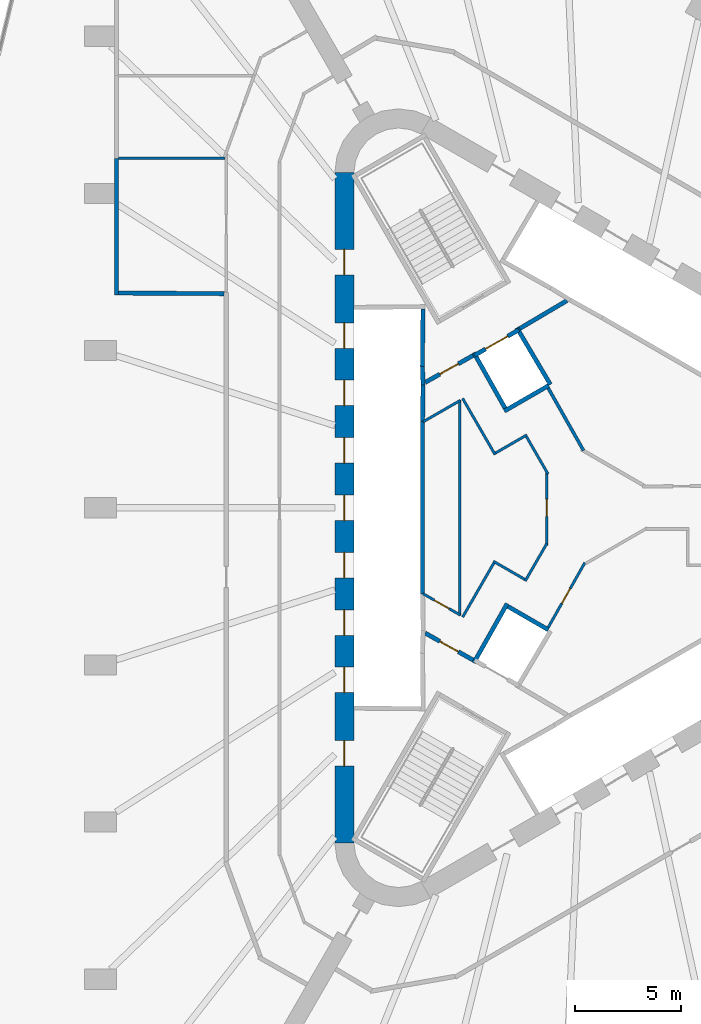
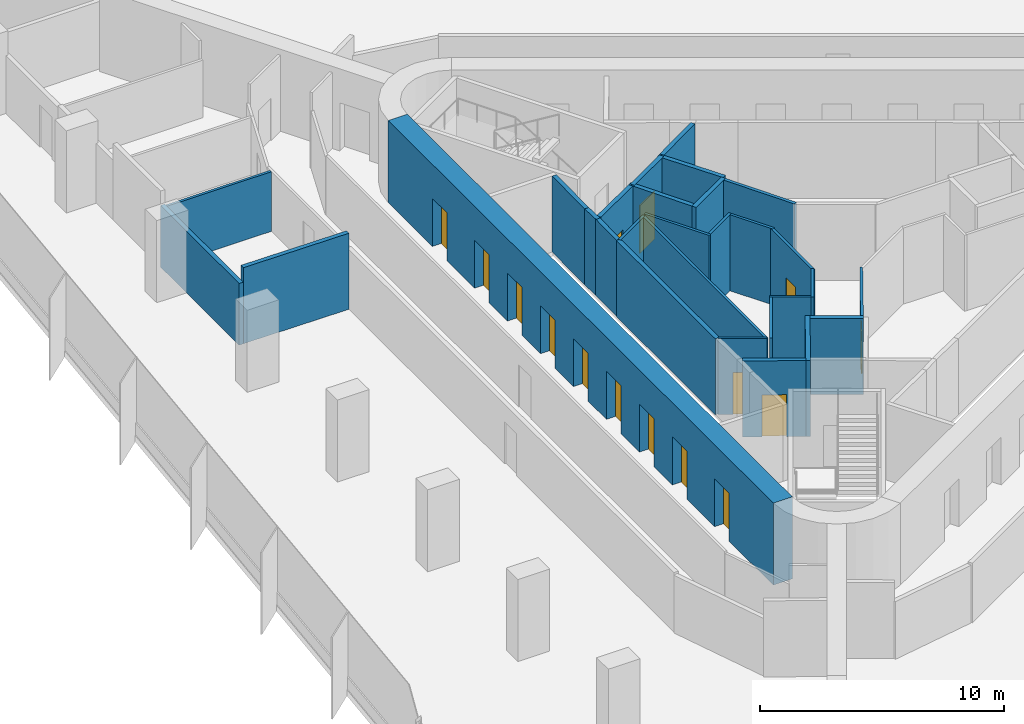
# One storey, part 10 of 14: 29 walls, 15 doors, 15 openings.
"""IFC4 building model written with IfcOpenShell, lengths in metres."""

from ifc_helpers import new_model, si_unit, direction, frame, frame_2d, origin, place, context, subcontext, project, spatial, rectangle, extrude, material, layer, layer_set, type_object, element, fill, save


model = new_model("IFC4")

# Units and contexts
model_context = context("Model", 3, precision=1e-05, world=origin(), true_north=direction((0.0, 1.0)))
body_context = subcontext(model_context, "Body", "Model", "MODEL_VIEW")
ifc_project = project(units=[si_unit("LENGTHUNIT", "METRE"), si_unit("AREAUNIT", "SQUARE_METRE"), si_unit("VOLUMEUNIT", "CUBIC_METRE"), si_unit("PLANEANGLEUNIT", "RADIAN"), si_unit("MASSUNIT", "GRAM", prefix="KILO")], contexts=[model_context])

# Site, building, storey
site_placement = place(None, origin())
site = spatial("IfcSite", under=ifc_project, at=site_placement, CompositionType="ELEMENT")
building_placement = place(site_placement, origin())
building = spatial("IfcBuilding", under=site, at=building_placement, Name="Tanit Gate Tower", CompositionType="ELEMENT")
storey_placement = place(building_placement, frame((0.0, 0.0, 86.5)))
storey = spatial("IfcBuildingStorey", under=building, at=storey_placement, Name="L17", CompositionType="ELEMENT", Elevation=86.5)

# Wall, openings, doors
ifc_material_1 = material(Name="Concrete C60/75", Category="concrete")
ifc_layer_1 = layer(ifc_material_1, 0.89990234375)
ifc_layer_set_1 = layer_set([ifc_layer_1], Name="CORE WALL 900 C60/75")
wall_type_1 = type_object("IfcWallType", Name="CORE WALL 900 C60/75", PredefinedType="SHEAR", material=ifc_layer_set_1)
wall_1_placement = place(storey_placement, frame((-11.64990234375, 15.76171875, 0.0), z_axis=(0.0, 0.0, 1.0), x_axis=(0.0, -1.0, 0.0)))
wall_1 = element("IfcWall", 1, at=wall_1_placement, inside=storey, type_object=wall_type_1, Name="CORE WALL", PredefinedType="SHEAR", context=body_context, shape_type="SweptSolid", body=[
    extrude(rectangle(XDim=31.5234375, YDim=0.89990234375, at=frame_2d((15.76171875, 0.0))), origin(), (0.0, 0.0, 1.0), 4.10009765625),
])
opening_1_placement = place(wall_1_placement, frame((7.061767578125, 0.0, 0.0)))
opening_1 = element("IfcOpeningElement", 2, at=opening_1_placement, cuts=wall_1, Name="Opening LDLL1-S03", PredefinedType="OPENING", context=body_context, shape_type="SweptSolid", body=[
    extrude(rectangle(XDim=1.199951171875, YDim=2.39990234375, at=frame_2d((0.60009765625, 1.199951171875))), frame((0.0, 0.4599609375, 0.0), z_axis=(0.0, -1.0, 0.0), x_axis=(1.0, 0.0, 0.0)), (0.0, 0.0, 1.0), 0.919921875),
])
opening_2_placement = place(wall_1_placement, frame((9.76171875, 0.0, 0.0)))
opening_2 = element("IfcOpeningElement", 3, at=opening_2_placement, cuts=wall_1, Name="Opening LDLL2-S03", PredefinedType="OPENING", context=body_context, shape_type="SweptSolid", body=[
    extrude(rectangle(XDim=1.199951171875, YDim=2.39990234375, at=frame_2d((0.60009765625, 1.199951171875))), frame((0.0, 0.4599609375, 0.0), z_axis=(0.0, -1.0, 0.0), x_axis=(1.0, 0.0, 0.0)), (0.0, 0.0, 1.0), 0.919921875),
])
opening_3_placement = place(wall_1_placement, frame((12.461669921875, 0.0, 0.0)))
opening_3 = element("IfcOpeningElement", 4, at=opening_3_placement, cuts=wall_1, Name="Opening LDLL3-S03", PredefinedType="OPENING", context=body_context, shape_type="SweptSolid", body=[
    extrude(rectangle(XDim=1.199951171875, YDim=2.39990234375, at=frame_2d((0.60009765625, 1.199951171875))), frame((0.0, 0.4599609375, 0.0), z_axis=(0.0, -1.0, 0.0), x_axis=(1.0, 0.0, 0.0)), (0.0, 0.0, 1.0), 0.919921875),
])
opening_4_placement = place(wall_1_placement, frame((15.16162109375, 0.0, 0.0)))
opening_4 = element("IfcOpeningElement", 5, at=opening_4_placement, cuts=wall_1, Name="Opening LDLL4-S03", PredefinedType="OPENING", context=body_context, shape_type="SweptSolid", body=[
    extrude(rectangle(XDim=1.199951171875, YDim=2.39990234375, at=frame_2d((0.60009765625, 1.199951171875))), frame((0.0, 0.4599609375, 0.0), z_axis=(0.0, -1.0, 0.0), x_axis=(1.0, 0.0, 0.0)), (0.0, 0.0, 1.0), 0.919921875),
])
opening_5_placement = place(wall_1_placement, frame((17.86181640625, 0.0, 0.0)))
opening_5 = element("IfcOpeningElement", 6, at=opening_5_placement, cuts=wall_1, Name="Opening LDLL5-S03", PredefinedType="OPENING", context=body_context, shape_type="SweptSolid", body=[
    extrude(rectangle(XDim=1.199951171875, YDim=2.39990234375, at=frame_2d((0.60009765625, 1.199951171875))), frame((0.0, 0.4599609375, 0.0), z_axis=(0.0, -1.0, 0.0), x_axis=(1.0, 0.0, 0.0)), (0.0, 0.0, 1.0), 0.919921875),
])
opening_6_placement = place(wall_1_placement, frame((20.561767578125, 0.0, 0.0)))
opening_6 = element("IfcOpeningElement", 7, at=opening_6_placement, cuts=wall_1, Name="Opening LDLL6-S03", PredefinedType="OPENING", context=body_context, shape_type="SweptSolid", body=[
    extrude(rectangle(XDim=1.199951171875, YDim=2.39990234375, at=frame_2d((0.60009765625, 1.199951171875))), frame((0.0, 0.4599609375, 0.0), z_axis=(0.0, -1.0, 0.0), x_axis=(1.0, 0.0, 0.0)), (0.0, 0.0, 1.0), 0.919921875),
])
opening_7_placement = place(wall_1_placement, frame((23.26171875, 0.0, 0.0)))
opening_7 = element("IfcOpeningElement", 8, at=opening_7_placement, cuts=wall_1, Name="Opening LDLL7-S03", PredefinedType="OPENING", context=body_context, shape_type="SweptSolid", body=[
    extrude(rectangle(XDim=1.199951171875, YDim=2.39990234375, at=frame_2d((0.60009765625, 1.199951171875))), frame((0.0, 0.4599609375, 0.0), z_axis=(0.0, -1.0, 0.0), x_axis=(1.0, 0.0, 0.0)), (0.0, 0.0, 1.0), 0.919921875),
])
opening_8_placement = place(wall_1_placement, frame((3.61181640625, 0.0, 0.0)))
opening_8 = element("IfcOpeningElement", 9, at=opening_8_placement, cuts=wall_1, Name="Opening F12-S03-FL2", PredefinedType="OPENING", context=body_context, shape_type="SweptSolid", body=[
    extrude(rectangle(XDim=1.199951171875, YDim=2.39990234375, at=frame_2d((0.60009765625, 1.199951171875))), frame((0.0, 0.4599609375, 0.0), z_axis=(0.0, -1.0, 0.0), x_axis=(1.0, 0.0, 0.0)), (0.0, 0.0, 1.0), 0.919921875),
])
opening_9_placement = place(wall_1_placement, frame((26.711669921875, 0.0, 0.0)))
opening_9 = element("IfcOpeningElement", 10, at=opening_9_placement, cuts=wall_1, Name="Opening F12-S03-S3", PredefinedType="OPENING", context=body_context, shape_type="SweptSolid", body=[
    extrude(rectangle(XDim=1.199951171875, YDim=2.39990234375, at=frame_2d((0.60009765625, 1.199951171875))), frame((0.0, 0.4599609375, 0.0), z_axis=(0.0, -1.0, 0.0), x_axis=(1.0, 0.0, 0.0)), (0.0, 0.0, 1.0), 0.919921875),
])
ifc_material_2 = material(Name="Fire-rated steel door leaf", Category="steel")
door_type_1 = type_object("IfcDoorType", Name="INT-DOOR-FIRE-LOBBY-1200", OperationType="NOTDEFINED", PredefinedType="USERDEFINED", material=ifc_material_2)
door_1_placement = place(opening_8_placement, origin())
door_1 = element("IfcDoor", 11, at=door_1_placement, inside=storey, type_object=door_type_1, Name="Door F12-S03-FL2", ObjectType="FIRE DOOR", OperationType="SINGLE_SWING_RIGHT", OverallHeight=2.39990234375, OverallWidth=1.199951171875, PredefinedType="USERDEFINED", context=body_context, shape_type="SweptSolid", body=[
    extrude(rectangle(XDim=1.199951171875, YDim=2.39990234375, at=frame_2d((0.60009765625, 1.199951171875))), frame((0.0, 0.02490234375, 0.0), z_axis=(0.0, -1.0, 0.0), x_axis=(1.0, 0.0, 0.0)), (0.0, 0.0, 1.0), 0.050048828125),
])
fill(opening_8, door_1)
door_2_placement = place(opening_9_placement, origin())
door_2 = element("IfcDoor", 12, at=door_2_placement, inside=storey, type_object=door_type_1, Name="Door F12-S03-S3", ObjectType="FIRE DOOR", OperationType="SINGLE_SWING_RIGHT", OverallHeight=2.39990234375, OverallWidth=1.199951171875, PredefinedType="USERDEFINED", context=body_context, shape_type="SweptSolid", body=[
    extrude(rectangle(XDim=1.199951171875, YDim=2.39990234375, at=frame_2d((0.60009765625, 1.199951171875))), frame((0.0, 0.02490234375, 0.0), z_axis=(0.0, -1.0, 0.0), x_axis=(1.0, 0.0, 0.0)), (0.0, 0.0, 1.0), 0.050048828125),
])
fill(opening_9, door_2)
ifc_material_3 = material(Name="Stainless steel sliding door leaf", Category="steel")
door_type_2 = type_object("IfcDoorType", Name="INT-DOOR-LANDING-1200", OperationType="NOTDEFINED", PredefinedType="USERDEFINED", material=ifc_material_3)
door_3_placement = place(opening_1_placement, origin())
door_3 = element("IfcDoor", 13, at=door_3_placement, inside=storey, type_object=door_type_2, Name="Door LDLL1-S03", ObjectType="LANDING DOOR", OperationType="SLIDING_TO_LEFT", OverallHeight=2.39990234375, OverallWidth=1.199951171875, PredefinedType="USERDEFINED", context=body_context, shape_type="SweptSolid", body=[
    extrude(rectangle(XDim=1.199951171875, YDim=2.39990234375, at=frame_2d((0.60009765625, 1.199951171875))), frame((0.0, 0.02490234375, 0.0), z_axis=(0.0, -1.0, 0.0), x_axis=(1.0, 0.0, 0.0)), (0.0, 0.0, 1.0), 0.050048828125),
])
fill(opening_1, door_3)
door_4_placement = place(opening_2_placement, origin())
door_4 = element("IfcDoor", 14, at=door_4_placement, inside=storey, type_object=door_type_2, Name="Door LDLL2-S03", ObjectType="LANDING DOOR", OperationType="SLIDING_TO_LEFT", OverallHeight=2.39990234375, OverallWidth=1.199951171875, PredefinedType="USERDEFINED", context=body_context, shape_type="SweptSolid", body=[
    extrude(rectangle(XDim=1.199951171875, YDim=2.39990234375, at=frame_2d((0.60009765625, 1.199951171875))), frame((0.0, 0.02490234375, 0.0), z_axis=(0.0, -1.0, 0.0), x_axis=(1.0, 0.0, 0.0)), (0.0, 0.0, 1.0), 0.050048828125),
])
fill(opening_2, door_4)
door_5_placement = place(opening_3_placement, origin())
door_5 = element("IfcDoor", 15, at=door_5_placement, inside=storey, type_object=door_type_2, Name="Door LDLL3-S03", ObjectType="LANDING DOOR", OperationType="SLIDING_TO_LEFT", OverallHeight=2.39990234375, OverallWidth=1.199951171875, PredefinedType="USERDEFINED", context=body_context, shape_type="SweptSolid", body=[
    extrude(rectangle(XDim=1.199951171875, YDim=2.39990234375, at=frame_2d((0.60009765625, 1.199951171875))), frame((0.0, 0.02490234375, 0.0), z_axis=(0.0, -1.0, 0.0), x_axis=(1.0, 0.0, 0.0)), (0.0, 0.0, 1.0), 0.050048828125),
])
fill(opening_3, door_5)
door_6_placement = place(opening_4_placement, origin())
door_6 = element("IfcDoor", 16, at=door_6_placement, inside=storey, type_object=door_type_2, Name="Door LDLL4-S03", ObjectType="LANDING DOOR", OperationType="SLIDING_TO_LEFT", OverallHeight=2.39990234375, OverallWidth=1.199951171875, PredefinedType="USERDEFINED", context=body_context, shape_type="SweptSolid", body=[
    extrude(rectangle(XDim=1.199951171875, YDim=2.39990234375, at=frame_2d((0.60009765625, 1.199951171875))), frame((0.0, 0.02490234375, 0.0), z_axis=(0.0, -1.0, 0.0), x_axis=(1.0, 0.0, 0.0)), (0.0, 0.0, 1.0), 0.050048828125),
])
fill(opening_4, door_6)
door_7_placement = place(opening_5_placement, origin())
door_7 = element("IfcDoor", 17, at=door_7_placement, inside=storey, type_object=door_type_2, Name="Door LDLL5-S03", ObjectType="LANDING DOOR", OperationType="SLIDING_TO_LEFT", OverallHeight=2.39990234375, OverallWidth=1.199951171875, PredefinedType="USERDEFINED", context=body_context, shape_type="SweptSolid", body=[
    extrude(rectangle(XDim=1.199951171875, YDim=2.39990234375, at=frame_2d((0.60009765625, 1.199951171875))), frame((0.0, 0.02490234375, 0.0), z_axis=(0.0, -1.0, 0.0), x_axis=(1.0, 0.0, 0.0)), (0.0, 0.0, 1.0), 0.050048828125),
])
fill(opening_5, door_7)
door_8_placement = place(opening_6_placement, origin())
door_8 = element("IfcDoor", 18, at=door_8_placement, inside=storey, type_object=door_type_2, Name="Door LDLL6-S03", ObjectType="LANDING DOOR", OperationType="SLIDING_TO_LEFT", OverallHeight=2.39990234375, OverallWidth=1.199951171875, PredefinedType="USERDEFINED", context=body_context, shape_type="SweptSolid", body=[
    extrude(rectangle(XDim=1.199951171875, YDim=2.39990234375, at=frame_2d((0.60009765625, 1.199951171875))), frame((0.0, 0.02490234375, 0.0), z_axis=(0.0, -1.0, 0.0), x_axis=(1.0, 0.0, 0.0)), (0.0, 0.0, 1.0), 0.050048828125),
])
fill(opening_6, door_8)
door_9_placement = place(opening_7_placement, origin())
door_9 = element("IfcDoor", 19, at=door_9_placement, inside=storey, type_object=door_type_2, Name="Door LDLL7-S03", ObjectType="LANDING DOOR", OperationType="SLIDING_TO_LEFT", OverallHeight=2.39990234375, OverallWidth=1.199951171875, PredefinedType="USERDEFINED", context=body_context, shape_type="SweptSolid", body=[
    extrude(rectangle(XDim=1.199951171875, YDim=2.39990234375, at=frame_2d((0.60009765625, 1.199951171875))), frame((0.0, 0.02490234375, 0.0), z_axis=(0.0, -1.0, 0.0), x_axis=(1.0, 0.0, 0.0)), (0.0, 0.0, 1.0), 0.050048828125),
])
fill(opening_7, door_9)

# Wall
ifc_material_4 = material(Name="Fire-rated gypsum board partition")
ifc_layer_2 = layer(ifc_material_4, 0.199951171875)
ifc_layer_set_2 = layer_set([ifc_layer_2], Name="INT-WALL-COMPARTMENT")
wall_type_2 = type_object("IfcWallType", Name="INT-WALL-COMPARTMENT", PredefinedType="PARTITIONING", material=ifc_layer_set_2)
wall_2_placement = place(storey_placement, frame((-1.1796875, 9.744384765625, 0.0), z_axis=(0.0, 0.0, 1.0), x_axis=(-0.860615607571, -0.509255118781, 0.0)))
element("IfcWall", 20, at=wall_2_placement, inside=storey, type_object=wall_type_2, Name="Wall Compartment W061", PredefinedType="PARTITIONING", context=body_context, shape_type="SweptSolid", body=[
    extrude(rectangle(XDim=2.58056640625, YDim=0.199951171875, at=frame_2d((1.290283203125, 0.0))), origin(), (0.0, 0.0, 1.0), 3.800048828125),
])

# Wall, opening, door
wall_3_placement = place(storey_placement, frame((-5.600341796875, 7.16015625, 0.0), z_axis=(0.0, 0.0, 1.0), x_axis=(-0.871363259478, -0.490638431059, 0.0)))
wall_3 = element("IfcWall", 21, at=wall_3_placement, inside=storey, type_object=wall_type_2, Name="Wall Compartment W062", PredefinedType="PARTITIONING", context=body_context, shape_type="SweptSolid", body=[
    extrude(rectangle(XDim=2.5810546875, YDim=0.199951171875, at=frame_2d((1.29052734375, 0.0))), origin(), (0.0, 0.0, 1.0), 3.800048828125),
])
opening_10_placement = place(wall_3_placement, frame((0.79052734375, 0.0, 0.0)))
opening_10 = element("IfcOpeningElement", 22, at=opening_10_placement, cuts=wall_3, Name="Opening F10-S03-05", PredefinedType="OPENING", context=body_context, shape_type="SweptSolid", body=[
    extrude(rectangle(XDim=1.0, YDim=2.10009765625, at=frame_2d((0.5, 1.050048828125))), frame((0.0, 0.10986328125, 0.0), z_axis=(0.0, -1.0, 0.0), x_axis=(1.0, 0.0, 0.0)), (0.0, 0.0, 1.0), 0.219970703125),
])
ifc_material_5 = material(Name="Fire-rated steel door leaf", Category="steel")
door_type_3 = type_object("IfcDoorType", Name="INT-DOOR-FIRE-1000", OperationType="NOTDEFINED", PredefinedType="USERDEFINED", material=ifc_material_5)
door_10_placement = place(opening_10_placement, origin())
door_10 = element("IfcDoor", 23, at=door_10_placement, inside=storey, type_object=door_type_3, Name="Door F10-S03-05", ObjectType="FIRE DOOR", OperationType="SINGLE_SWING_RIGHT", OverallHeight=2.10009765625, OverallWidth=1.0, PredefinedType="USERDEFINED", context=body_context, shape_type="SweptSolid", body=[
    extrude(rectangle(XDim=1.0, YDim=2.10009765625, at=frame_2d((0.5, 1.050048828125))), frame((0.0, 0.02490234375, 0.0), z_axis=(0.0, -1.0, 0.0), x_axis=(1.0, 0.0, 0.0)), (0.0, 0.0, 1.0), 0.050048828125),
])
fill(opening_10, door_10)

wall_4_placement = place(storey_placement, frame((-7.849365234375, -5.893798828125, 0.0), z_axis=(0.0, 0.0, 1.0), x_axis=(0.871363259478, -0.490638431059, 0.0)))
wall_4 = element("IfcWall", 24, at=wall_4_placement, inside=storey, type_object=wall_type_2, Name="Wall Compartment W064", PredefinedType="PARTITIONING", context=body_context, shape_type="SweptSolid", body=[
    extrude(rectangle(XDim=2.5810546875, YDim=0.199951171875, at=frame_2d((1.29052734375, 0.0))), origin(), (0.0, 0.0, 1.0), 3.800048828125),
])
opening_11_placement = place(wall_4_placement, frame((0.79052734375, 0.0, 0.0)))
opening_11 = element("IfcOpeningElement", 25, at=opening_11_placement, cuts=wall_4, Name="Opening F10-S03-08", PredefinedType="OPENING", context=body_context, shape_type="SweptSolid", body=[
    extrude(rectangle(XDim=1.0, YDim=2.10009765625, at=frame_2d((0.5, 1.050048828125))), frame((0.0, 0.10986328125, 0.0), z_axis=(0.0, -1.0, 0.0), x_axis=(1.0, 0.0, 0.0)), (0.0, 0.0, 1.0), 0.219970703125),
])
door_11_placement = place(opening_11_placement, origin())
door_11 = element("IfcDoor", 26, at=door_11_placement, inside=storey, type_object=door_type_3, Name="Door F10-S03-08", ObjectType="FIRE DOOR", OperationType="SINGLE_SWING_LEFT", OverallHeight=2.10009765625, OverallWidth=1.0, PredefinedType="USERDEFINED", context=body_context, shape_type="SweptSolid", body=[
    extrude(rectangle(XDim=1.0, YDim=2.10009765625, at=frame_2d((0.5, 1.050048828125))), frame((0.0, 0.02490234375, 0.0), z_axis=(0.0, -1.0, 0.0), x_axis=(1.0, 0.0, 0.0)), (0.0, 0.0, 1.0), 0.050048828125),
])
fill(opening_11, door_11)

# Walls
wall_5_placement = place(storey_placement, frame((-22.3701171875, 10.0, 0.0), z_axis=(0.0, 0.0, 1.0), x_axis=(0.0, 1.0, 0.0)))
element("IfcWall", 27, at=wall_5_placement, inside=storey, type_object=wall_type_2, Name="Wall Compartment W111", PredefinedType="PARTITIONING", context=body_context, shape_type="SweptSolid", body=[
    extrude(rectangle(XDim=6.431396484375, YDim=0.199951171875, at=frame_2d((3.2158203125, 0.0))), origin(), (0.0, 0.0, 1.0), 3.080078125),
])
wall_6_placement = place(storey_placement, frame((-17.300048828125, 10.070556640625, 0.0), z_axis=(0.0, 0.0, 1.0), x_axis=(-0.999983200532, 0.005796434527, 0.0)))
element("IfcWall", 28, at=wall_6_placement, inside=storey, type_object=wall_type_2, Name="Wall Compartment W112", PredefinedType="PARTITIONING", context=body_context, shape_type="SweptSolid", body=[
    extrude(rectangle(XDim=4.969970703125, YDim=0.199951171875, at=frame_2d((2.48486328125, 0.0))), origin(), (0.0, 0.0, 1.0), 3.800048828125),
])

# Wall, opening, door
ifc_material_6 = material(Name="Gypsum board partition")
ifc_layer_3 = layer(ifc_material_6, 0.1201171875)
ifc_layer_set_3 = layer_set([ifc_layer_3], Name="INT-WALL-PARTITION")
wall_type_3 = type_object("IfcWallType", Name="INT-WALL-PARTITION", PredefinedType="PARTITIONING", material=ifc_layer_set_3)
wall_7_placement = place(storey_placement, frame((-0.339599609375, -2.58642578125, 0.0), z_axis=(0.0, 0.0, 1.0), x_axis=(-0.492647196214, -0.870229130782, 0.0)))
wall_7 = element("IfcWall", 29, at=wall_7_placement, inside=storey, type_object=wall_type_3, Name="Wall Partition W068", PredefinedType="PARTITIONING", context=body_context, shape_type="SweptSolid", body=[
    extrude(rectangle(XDim=3.490234375, YDim=0.1201171875, at=frame_2d((1.7451171875, 0.0))), origin(), (0.0, 0.0, 1.0), 3.800048828125),
])
opening_12_placement = place(wall_7_placement, frame((1.396240234375, 0.0, 0.0)))
opening_12 = element("IfcOpeningElement", 30, at=opening_12_placement, cuts=wall_7, Name="Opening R08-S03-11", PredefinedType="OPENING", context=body_context, shape_type="SweptSolid", body=[
    extrude(rectangle(XDim=0.800048828125, YDim=2.10009765625, at=frame_2d((0.39990234375, 1.050048828125))), frame((0.0, 0.070068359375, 0.0), z_axis=(0.0, -1.0, 0.0), x_axis=(1.0, 0.0, 0.0)), (0.0, 0.0, 1.0), 0.14013671875),
])
ifc_material_7 = material(Name="Timber door leaf", Category="wood")
door_type_4 = type_object("IfcDoorType", Name="INT-DOOR-RISER-800", OperationType="NOTDEFINED", PredefinedType="USERDEFINED", material=ifc_material_7)
door_12_placement = place(opening_12_placement, origin())
door_12 = element("IfcDoor", 31, at=door_12_placement, inside=storey, type_object=door_type_4, Name="Door R08-S03-11", ObjectType="FIRE DOOR", OperationType="SINGLE_SWING_RIGHT", OverallHeight=2.10009765625, OverallWidth=0.800048828125, PredefinedType="USERDEFINED", context=body_context, shape_type="SweptSolid", body=[
    extrude(rectangle(XDim=0.800048828125, YDim=2.10009765625, at=frame_2d((0.39990234375, 1.050048828125))), frame((0.0, 0.02490234375, 0.0), z_axis=(0.0, -1.0, 0.0), x_axis=(1.0, 0.0, 0.0)), (0.0, 0.0, 1.0), 0.050048828125),
])
fill(opening_12, door_12)

# Wall
wall_8_placement = place(storey_placement, frame((-6.2314453125, 5.0625, 0.0), z_axis=(0.0, 0.0, 1.0), x_axis=(0.0, -1.0, 0.0)))
element("IfcWall", 32, at=wall_8_placement, inside=storey, type_object=wall_type_3, Name="Wall Partition W074", PredefinedType="PARTITIONING", context=body_context, shape_type="SweptSolid", body=[
    extrude(rectangle(XDim=10.125, YDim=0.1201171875, at=frame_2d((5.0625, 0.0))), origin(), (0.0, 0.0, 1.0), 3.800048828125),
])

# Wall, opening, door
wall_9_placement = place(storey_placement, frame((-7.949951171875, -4.041015625, 0.0), z_axis=(0.0, 0.0, 1.0), x_axis=(0.867071050325, -0.498184497639, 0.0)))
wall_9 = element("IfcWall", 33, at=wall_9_placement, inside=storey, type_object=wall_type_3, Name="Wall Partition W075", PredefinedType="PARTITIONING", context=body_context, shape_type="SweptSolid", body=[
    extrude(rectangle(XDim=2.0166015625, YDim=0.1201171875, at=frame_2d((1.00830078125, 0.0))), origin(), (0.0, 0.0, 1.0), 3.800048828125),
])
opening_13_placement = place(wall_9_placement, frame((0.6083984375, 0.0, 0.0)))
opening_13 = element("IfcOpeningElement", 34, at=opening_13_placement, cuts=wall_9, Name="Opening R08-S03-12", PredefinedType="OPENING", context=body_context, shape_type="SweptSolid", body=[
    extrude(rectangle(XDim=0.800048828125, YDim=2.10009765625, at=frame_2d((0.39990234375, 1.050048828125))), frame((0.0, 0.070068359375, 0.0), z_axis=(0.0, -1.0, 0.0), x_axis=(1.0, 0.0, 0.0)), (0.0, 0.0, 1.0), 0.14013671875),
])
door_13_placement = place(opening_13_placement, origin())
door_13 = element("IfcDoor", 35, at=door_13_placement, inside=storey, type_object=door_type_4, Name="Door R08-S03-12", ObjectType="FIRE DOOR", OperationType="SINGLE_SWING_RIGHT", OverallHeight=2.10009765625, OverallWidth=0.800048828125, PredefinedType="USERDEFINED", context=body_context, shape_type="SweptSolid", body=[
    extrude(rectangle(XDim=0.800048828125, YDim=2.10009765625, at=frame_2d((0.39990234375, 1.050048828125))), frame((0.0, 0.02490234375, 0.0), z_axis=(0.0, -1.0, 0.0), x_axis=(1.0, 0.0, 0.0)), (0.0, 0.0, 1.0), 0.050048828125),
])
fill(opening_13, door_13)

# Walls
wall_10_placement = place(storey_placement, frame((-6.201416015625, 5.045654296875, 0.0), z_axis=(0.0, 0.0, 1.0), x_axis=(-0.867071050325, -0.498184497639, 0.0)))
element("IfcWall", 36, at=wall_10_placement, inside=storey, type_object=wall_type_3, Name="Wall Partition W076", PredefinedType="PARTITIONING", context=body_context, shape_type="SweptSolid", body=[
    extrude(rectangle(XDim=2.0166015625, YDim=0.1201171875, at=frame_2d((1.00830078125, 0.0))), origin(), (0.0, 0.0, 1.0), 3.800048828125),
])
wall_11_placement = place(storey_placement, frame((-4.558349609375, 2.4951171875, 0.0), z_axis=(0.0, 0.0, 1.0), x_axis=(-0.499991792115, 0.866030142557, 0.0)))
element("IfcWall", 37, at=wall_11_placement, inside=storey, type_object=wall_type_3, Name="Wall Partition W077", PredefinedType="PARTITIONING", context=body_context, shape_type="SweptSolid", body=[
    extrude(rectangle(XDim=3.06005859375, YDim=0.1201171875, at=frame_2d((1.530029296875, 0.0))), origin(), (0.0, 0.0, 1.0), 3.800048828125),
])
wall_12_placement = place(storey_placement, frame((-3.06396484375, 3.427001953125, 0.0), z_axis=(0.0, 0.0, 1.0), x_axis=(-0.866087547558, -0.499892348375, 0.0)))
element("IfcWall", 38, at=wall_12_placement, inside=storey, type_object=wall_type_3, Name="Wall Partition W078", PredefinedType="PARTITIONING", context=body_context, shape_type="SweptSolid", body=[
    extrude(rectangle(XDim=1.699951171875, YDim=0.1201171875, at=frame_2d((0.85009765625, 0.0))), origin(), (0.0, 0.0, 1.0), 3.800048828125),
])
wall_13_placement = place(storey_placement, frame((-2.06982421875, 1.5849609375, 0.0), z_axis=(0.0, 0.0, 1.0), x_axis=(-0.499937346687, 0.86606157367, 0.0)))
element("IfcWall", 39, at=wall_13_placement, inside=storey, type_object=wall_type_3, Name="Wall Partition W079", PredefinedType="PARTITIONING", context=body_context, shape_type="SweptSolid", body=[
    extrude(rectangle(XDim=2.032470703125, YDim=0.1201171875, at=frame_2d((1.01611328125, 0.0))), origin(), (0.0, 0.0, 1.0), 3.800048828125),
])

# Wall, opening, door
wall_14_placement = place(storey_placement, frame((-2.121826171875, -1.77880859375, 0.0), z_axis=(0.0, 0.0, 1.0), x_axis=(0.0, 1.0, 0.0)))
wall_14 = element("IfcWall", 40, at=wall_14_placement, inside=storey, type_object=wall_type_3, Name="Wall Partition W080", PredefinedType="PARTITIONING", context=body_context, shape_type="SweptSolid", body=[
    extrude(rectangle(XDim=3.435302734375, YDim=0.1201171875, at=frame_2d((1.7177734375, 0.0))), origin(), (0.0, 0.0, 1.0), 3.800048828125),
])
opening_14_placement = place(wall_14_placement, frame((1.36962890625, 0.0, 0.0)))
opening_14 = element("IfcOpeningElement", 41, at=opening_14_placement, cuts=wall_14, Name="Opening R08-S03-13", PredefinedType="OPENING", context=body_context, shape_type="SweptSolid", body=[
    extrude(rectangle(XDim=0.800048828125, YDim=2.10009765625, at=frame_2d((0.39990234375, 1.050048828125))), frame((0.0, 0.070068359375, 0.0), z_axis=(0.0, -1.0, 0.0), x_axis=(1.0, 0.0, 0.0)), (0.0, 0.0, 1.0), 0.14013671875),
])
door_14_placement = place(opening_14_placement, origin())
door_14 = element("IfcDoor", 42, at=door_14_placement, inside=storey, type_object=door_type_4, Name="Door R08-S03-13", ObjectType="FIRE DOOR", OperationType="SINGLE_SWING_LEFT", OverallHeight=2.10009765625, OverallWidth=0.800048828125, PredefinedType="USERDEFINED", context=body_context, shape_type="SweptSolid", body=[
    extrude(rectangle(XDim=0.800048828125, YDim=2.10009765625, at=frame_2d((0.39990234375, 1.050048828125))), frame((0.0, 0.02490234375, 0.0), z_axis=(0.0, -1.0, 0.0), x_axis=(1.0, 0.0, 0.0)), (0.0, 0.0, 1.0), 0.050048828125),
])
fill(opening_14, door_14)

# Walls
wall_15_placement = place(storey_placement, frame((-3.14599609375, -3.448974609375, 0.0), z_axis=(0.0, 0.0, 1.0), x_axis=(0.500007041985, 0.866021338054, 0.0)))
element("IfcWall", 43, at=wall_15_placement, inside=storey, type_object=wall_type_3, Name="Wall Partition W081", PredefinedType="PARTITIONING", context=body_context, shape_type="SweptSolid", body=[
    extrude(rectangle(XDim=2.02978515625, YDim=0.1201171875, at=frame_2d((1.014892578125, 0.0))), origin(), (0.0, 0.0, 1.0), 3.800048828125),
])
wall_16_placement = place(storey_placement, frame((-4.64013671875, -2.51708984375, 0.0), z_axis=(0.0, 0.0, 1.0), x_axis=(0.865989465428, -0.500062241894, 0.0)))
element("IfcWall", 44, at=wall_16_placement, inside=storey, type_object=wall_type_3, Name="Wall Partition W082", PredefinedType="PARTITIONING", context=body_context, shape_type="SweptSolid", body=[
    extrude(rectangle(XDim=1.699951171875, YDim=0.1201171875, at=frame_2d((0.85009765625, 0.0))), origin(), (0.0, 0.0, 1.0), 3.800048828125),
])
wall_17_placement = place(storey_placement, frame((-6.08837890625, -5.145263671875, 0.0), z_axis=(0.0, 0.0, 1.0), x_axis=(0.500050696077, 0.865996132412, 0.0)))
element("IfcWall", 45, at=wall_17_placement, inside=storey, type_object=wall_type_3, Name="Wall Partition W083", PredefinedType="PARTITIONING", context=body_context, shape_type="SweptSolid", body=[
    extrude(rectangle(XDim=2.940185546875, YDim=0.1201171875, at=frame_2d((1.47021484375, 0.0))), origin(), (0.0, 0.0, 1.0), 3.800048828125),
])
wall_18_placement = place(storey_placement, frame((-17.260009765625, 16.431396484375, 0.0), z_axis=(0.0, 0.0, 1.0), x_axis=(-1.0, 0.0, 0.0)))
element("IfcWall", 46, at=wall_18_placement, inside=storey, type_object=wall_type_3, Name="Wall Partition W120", PredefinedType="PARTITIONING", context=body_context, shape_type="SweptSolid", body=[
    extrude(rectangle(XDim=5.010009765625, YDim=0.1201171875, at=frame_2d((2.5048828125, 0.0))), origin(), (0.0, 0.0, 1.0), 2.97998046875),
])
ifc_material_8 = material(Name="Fire-rated gypsum board partition")
ifc_layer_4 = layer(ifc_material_8, 0.14990234375)
ifc_layer_set_4 = layer_set([ifc_layer_4], Name="INT-WALL-RISER")
wall_type_4 = type_object("IfcWallType", Name="INT-WALL-RISER", PredefinedType="PLUMBINGWALL", material=ifc_layer_set_4)
wall_19_placement = place(storey_placement, frame((-2.05908203125, 5.623779296875, 0.0), z_axis=(0.0, 0.0, 1.0), x_axis=(0.49265005812, -0.870227510617, 0.0)))
element("IfcWall", 47, at=wall_19_placement, inside=storey, type_object=wall_type_4, Name="Wall Riser W067", PredefinedType="PLUMBINGWALL", context=body_context, shape_type="SweptSolid", body=[
    extrude(rectangle(XDim=3.364990234375, YDim=0.14990234375, at=frame_2d((1.6826171875, 0.0))), origin(), (0.0, 0.0, 1.0), 3.800048828125),
])
ifc_material_9 = material(Name="Gypsum shaft wall system")
ifc_layer_5 = layer(ifc_material_9, 0.199951171875)
ifc_layer_set_5 = layer_set([ifc_layer_5], Name="INT-WALL-SHAFT")
wall_type_5 = type_object("IfcWallType", Name="INT-WALL-SHAFT", PredefinedType="PLUMBINGWALL", material=ifc_layer_set_5)
wall_20_placement = place(storey_placement, frame((-7.951171875, 9.35009765625, 0.0), z_axis=(0.0, 0.0, 1.0), x_axis=(-0.011120469654, -0.999938165666, 0.0)))
element("IfcWall", 48, at=wall_20_placement, inside=storey, type_object=wall_type_5, Name="Wall Shaft W002", PredefinedType="PLUMBINGWALL", context=body_context, shape_type="SweptSolid", body=[
    extrude(rectangle(XDim=2.700439453125, YDim=0.199951171875, at=frame_2d((1.35009765625, 0.0))), origin(), (0.0, 0.0, 1.0), 3.800048828125),
])
wall_21_placement = place(storey_placement, frame((-7.97705078125, 6.650146484375, 0.0), z_axis=(0.0, 0.0, 1.0), x_axis=(0.030861509705, -0.999523670164, 0.0)))
element("IfcWall", 49, at=wall_21_placement, inside=storey, type_object=wall_type_5, Name="Wall Shaft W004", PredefinedType="PLUMBINGWALL", context=body_context, shape_type="SweptSolid", body=[
    extrude(rectangle(XDim=0.878173828125, YDim=0.199951171875, at=frame_2d((0.43896484375, 0.0))), origin(), (0.0, 0.0, 1.0), 3.800048828125),
])
wall_22_placement = place(storey_placement, frame((-7.94921875, 5.894775390625, 0.0), z_axis=(0.0, 0.0, 1.0), x_axis=(-0.012042535896, -0.999927486035, 0.0)))
element("IfcWall", 50, at=wall_22_placement, inside=storey, type_object=wall_type_5, Name="Wall Shaft W005", PredefinedType="PLUMBINGWALL", context=body_context, shape_type="SweptSolid", body=[
    extrude(rectangle(XDim=1.844970703125, YDim=0.199951171875, at=frame_2d((0.92236328125, 0.0))), origin(), (0.0, 0.0, 1.0), 3.800048828125),
])
wall_23_placement = place(storey_placement, frame((-7.97998046875, 4.050048828125, 0.0), z_axis=(0.0, 0.0, 1.0), x_axis=(0.0, -1.0, 0.0)))
element("IfcWall", 51, at=wall_23_placement, inside=storey, type_object=wall_type_5, Name="Wall Shaft W006", PredefinedType="PLUMBINGWALL", context=body_context, shape_type="SweptSolid", body=[
    extrude(rectangle(XDim=8.10009765625, YDim=0.199951171875, at=frame_2d((4.050048828125, 0.0))), origin(), (0.0, 0.0, 1.0), 3.800048828125),
])

# Wall, opening, door
wall_24_placement = place(storey_placement, frame((-5.524169921875, 7.168212890625, 0.0), z_axis=(0.0, 0.0, 1.0), x_axis=(0.866024647952, 0.500001309137, 0.0)))
wall_24 = element("IfcWall", 52, at=wall_24_placement, inside=storey, type_object=wall_type_5, Name="Wall Shaft W045", PredefinedType="PLUMBINGWALL", context=body_context, shape_type="SweptSolid", body=[
    extrude(rectangle(XDim=2.39990234375, YDim=0.199951171875, at=frame_2d((1.199951171875, 0.0))), origin(), (0.0, 0.0, 1.0), 3.800048828125),
])
opening_15_placement = place(wall_24_placement, frame((0.60009765625, 0.0, 0.0)))
opening_15 = element("IfcOpeningElement", 53, at=opening_15_placement, cuts=wall_24, Name="Opening LDFL2-L17", PredefinedType="OPENING", context=body_context, shape_type="SweptSolid", body=[
    extrude(rectangle(XDim=1.199951171875, YDim=2.39990234375, at=frame_2d((0.60009765625, 1.199951171875))), frame((0.0, 0.10986328125, 0.0), z_axis=(0.0, -1.0, 0.0), x_axis=(1.0, 0.0, 0.0)), (0.0, 0.0, 1.0), 0.219970703125),
])
door_15_placement = place(opening_15_placement, origin())
door_15 = element("IfcDoor", 54, at=door_15_placement, inside=storey, type_object=door_type_2, Name="Door LDFL2-L17", ObjectType="LANDING DOOR", OperationType="SLIDING_TO_LEFT", OverallHeight=2.39990234375, OverallWidth=1.199951171875, PredefinedType="USERDEFINED", context=body_context, shape_type="SweptSolid", body=[
    extrude(rectangle(XDim=1.199951171875, YDim=2.39990234375, at=frame_2d((0.60009765625, 1.199951171875))), frame((0.0, 0.02490234375, 0.0), z_axis=(0.0, -1.0, 0.0), x_axis=(1.0, 0.0, 0.0)), (0.0, 0.0, 1.0), 0.050048828125),
])
fill(opening_15, door_15)

# Walls
wall_25_placement = place(storey_placement, frame((-3.53759765625, 8.46533203125, 0.0), z_axis=(0.0, 0.0, 1.0), x_axis=(0.508647062354, -0.860975125052, 0.0)))
element("IfcWall", 55, at=wall_25_placement, inside=storey, type_object=wall_type_5, Name="Wall Shaft W046", PredefinedType="PLUMBINGWALL", context=body_context, shape_type="SweptSolid", body=[
    extrude(rectangle(XDim=3.10009765625, YDim=0.199951171875, at=frame_2d((1.550048828125, 0.0))), origin(), (0.0, 0.0, 1.0), 3.800048828125),
])
wall_26_placement = place(storey_placement, frame((-2.04345703125, 5.748291015625, 0.0), z_axis=(0.0, 0.0, 1.0), x_axis=(-0.866035096217, -0.499983211839, 0.0)))
element("IfcWall", 56, at=wall_26_placement, inside=storey, type_object=wall_type_5, Name="Wall Shaft W047", PredefinedType="PLUMBINGWALL", context=body_context, shape_type="SweptSolid", body=[
    extrude(rectangle(XDim=2.404296875, YDim=0.199951171875, at=frame_2d((1.2021484375, 0.0))), origin(), (0.0, 0.0, 1.0), 3.800048828125),
])
wall_27_placement = place(storey_placement, frame((-5.5625, 7.29638671875, 0.0), z_axis=(0.0, 0.0, 1.0), x_axis=(0.49134651263, -0.870964180966, 0.0)))
element("IfcWall", 57, at=wall_27_placement, inside=storey, type_object=wall_type_5, Name="Wall Shaft W048", PredefinedType="PLUMBINGWALL", context=body_context, shape_type="SweptSolid", body=[
    extrude(rectangle(XDim=3.000244140625, YDim=0.199951171875, at=frame_2d((1.5, 0.0))), origin(), (0.0, 0.0, 1.0), 3.800048828125),
])
wall_28_placement = place(storey_placement, frame((-3.989990234375, -4.509033203125, 0.0), z_axis=(0.0, 0.0, 1.0), x_axis=(-0.491358283181, -0.870957540612, 0.0)))
element("IfcWall", 58, at=wall_28_placement, inside=storey, type_object=wall_type_5, Name="Wall Shaft W055", PredefinedType="PLUMBINGWALL", context=body_context, shape_type="SweptSolid", body=[
    extrude(rectangle(XDim=3.200439453125, YDim=0.199951171875, at=frame_2d((1.60009765625, 0.0))), origin(), (0.0, 0.0, 1.0), 3.800048828125),
])
wall_29_placement = place(storey_placement, frame((-3.95263671875, -4.646240234375, 0.0), z_axis=(0.0, 0.0, 1.0), x_axis=(0.866038900241, -0.499976622722, 0.0)))
element("IfcWall", 59, at=wall_29_placement, inside=storey, type_object=wall_type_5, Name="Wall Shaft W056", PredefinedType="PLUMBINGWALL", context=body_context, shape_type="SweptSolid", body=[
    extrude(rectangle(XDim=2.189453125, YDim=0.199951171875, at=frame_2d((1.0947265625, 0.0))), origin(), (0.0, 0.0, 1.0), 3.800048828125),
])

save(model, "model.ifc")
